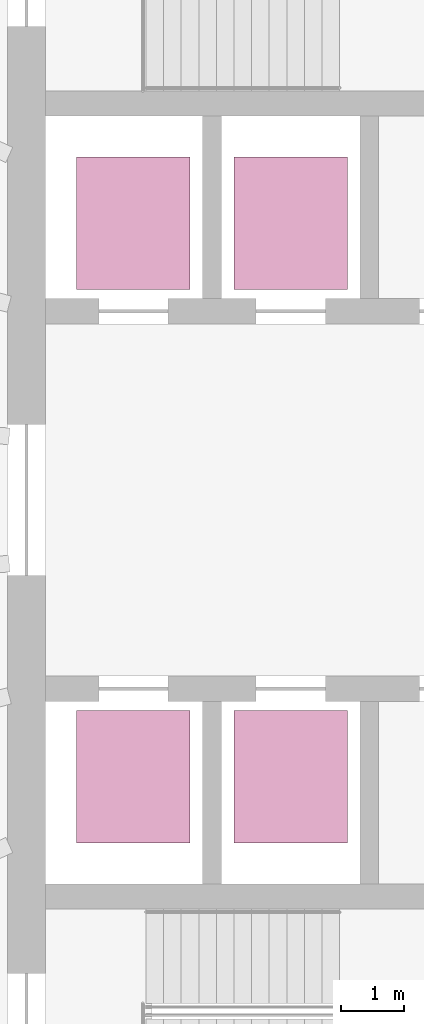
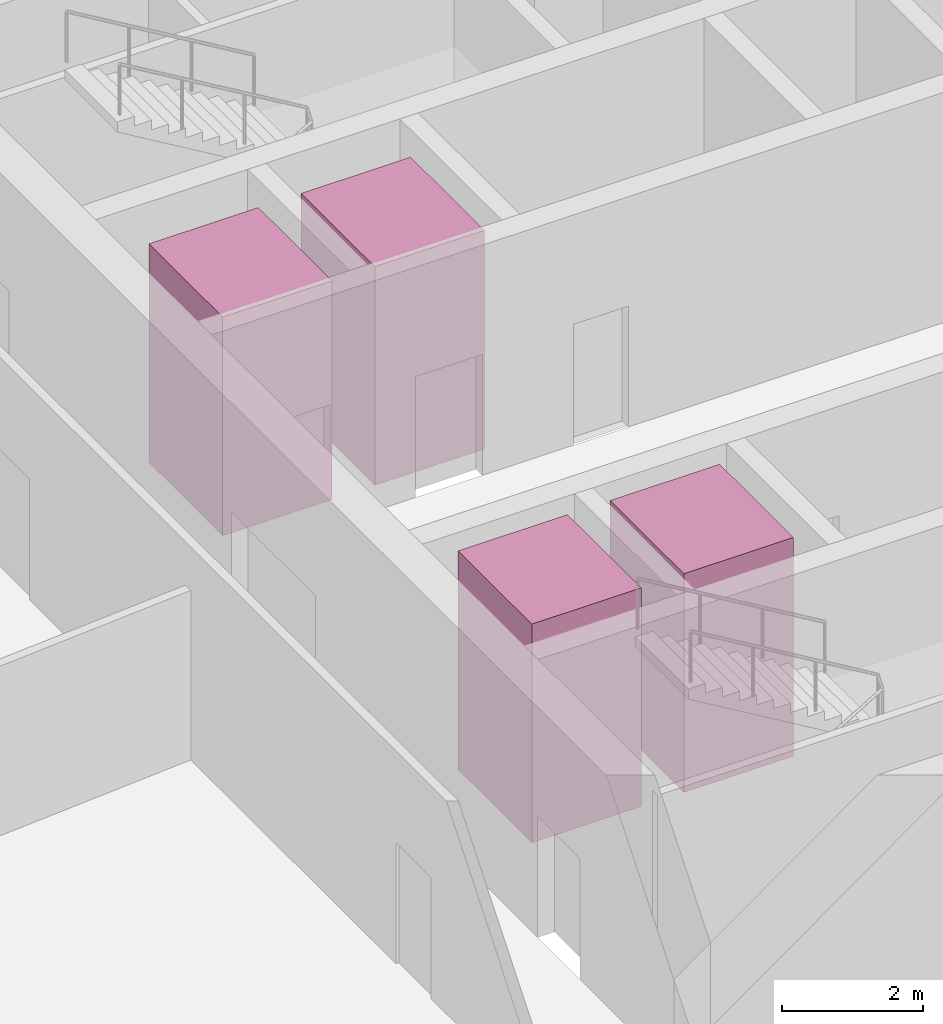
# One storey, part 10 of 10: 4 transport elements.
"""IFC4 building model written with IfcOpenShell, lengths in metres."""

from ifc_helpers import new_model, si_unit, direction, frame, origin, origin_2d, place, context, subcontext, project, spatial, rectangle, extrude, material, type_object, element, save


model = new_model("IFC4")

# Units and contexts
model_context = context("Model", 3, precision=1e-05, world=origin(), true_north=direction((0.0, 1.0)))
body_context = subcontext(model_context, "Body", "Model", "MODEL_VIEW")
ifc_project = project(units=[si_unit("LENGTHUNIT", "METRE"), si_unit("AREAUNIT", "SQUARE_METRE"), si_unit("VOLUMEUNIT", "CUBIC_METRE"), si_unit("PLANEANGLEUNIT", "RADIAN"), si_unit("MASSUNIT", "GRAM", prefix="KILO")], contexts=[model_context])

# Site, building, storey
site_placement = place(None, origin())
site = spatial("IfcSite", under=ifc_project, at=site_placement, CompositionType="ELEMENT")
building_placement = place(site_placement, origin())
building = spatial("IfcBuilding", under=site, at=building_placement, Name="Halqa Exchange Tower", CompositionType="ELEMENT")
storey_placement = place(building_placement, frame((0.0, 0.0, 300.300048828125)))
storey = spatial("IfcBuildingStorey", under=building, at=storey_placement, Name="L70", CompositionType="ELEMENT", Elevation=300.300048828125)

# Transport elements
ifc_material = material(Name="Stainless steel", Category="steel")
transport_element_type = type_object("IfcTransportElementType", Name="High-rise passenger lift 1800 x 2100", PredefinedType="ELEVATOR", material=ifc_material)
for number, where, z_axis, x_axis, name in (
    (1, (-10.0, 4.39990234375, 0.0), (0.0, 0.0, 1.0), (1.0, 0.0, 0.0), "High-rise passenger lift HR1"),
    (2, (-7.5, 4.39990234375, 0.0), (0.0, 0.0, 1.0), (1.0, 0.0, 0.0), "High-rise passenger lift HR2"),
    (3, (-10.0, -4.39990234375, 0.0), (0.0, 0.0, 1.0), (1.0, 0.0, 0.0), "High-rise passenger lift HR3"),
    (4, (-7.5, -4.39990234375, 0.0), (0.0, 0.0, 1.0), (1.0, 0.0, 0.0), "High-rise passenger lift HR4"),
):
    element("IfcTransportElement", number, at=place(storey_placement, frame(where, z_axis=z_axis, x_axis=x_axis)), inside=storey, type_object=transport_element_type, Name=name, PredefinedType="ELEVATOR", context=body_context, shape_type="SweptSolid", body=[
        extrude(rectangle(XDim=1.800048828125, YDim=2.10009765625, at=origin_2d()), origin(), (0.0, 0.0, 1.0), 3.800048828125),
    ])

save(model, "model.ifc")
